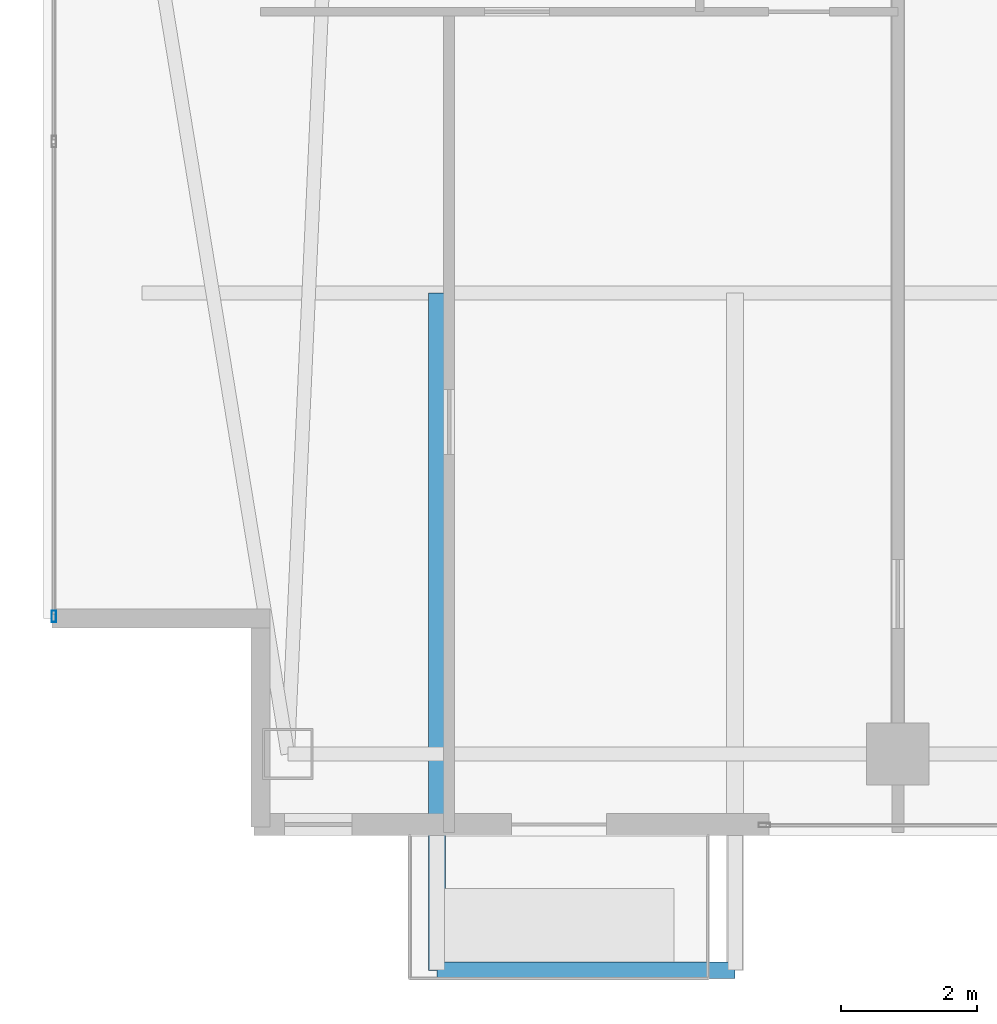
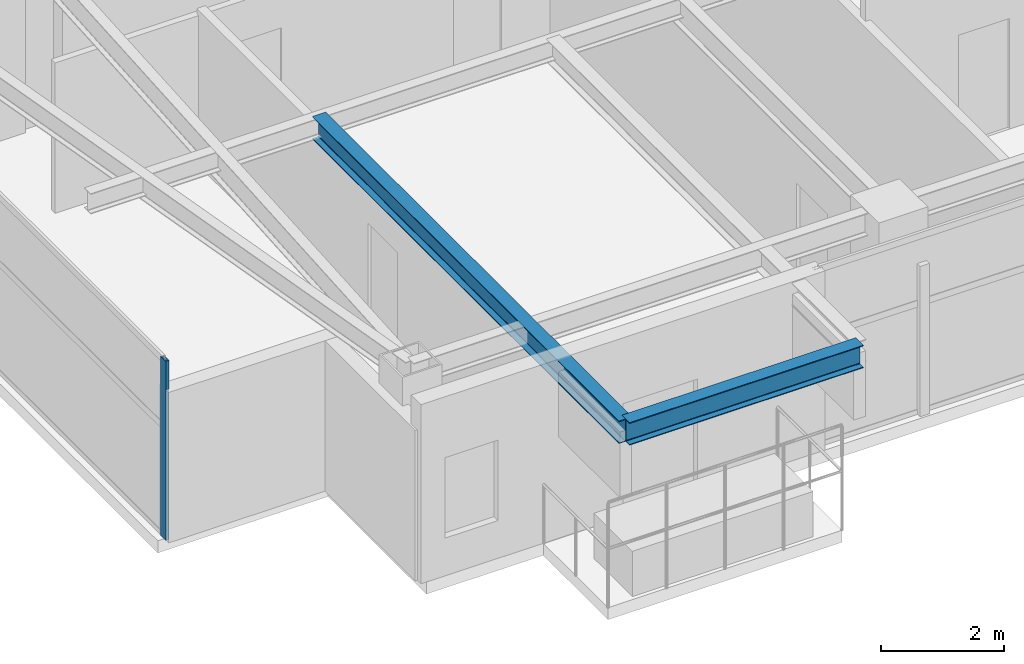
# One storey, part 2 of 27: 2 beams, 1 member, 1 element without a shape of its own.
"""IFC4 building model written with IfcOpenShell, lengths in metres."""

from ifc_helpers import new_model, si_unit, direction, frame, origin, origin_2d, place, context, subcontext, project, spatial, hollow_rectangle, i_section, extrude, material, layer, layer_set, material_profile, profile_set, type_object, element, aggregate, save


model = new_model("IFC4")

# Units and contexts
model_context = context("Model", 3, precision=1e-05, world=origin(), true_north=direction((0.0, 1.0)))
body_context = subcontext(model_context, "Body", "Model", "MODEL_VIEW")
ifc_project = project(units=[si_unit("LENGTHUNIT", "METRE"), si_unit("AREAUNIT", "SQUARE_METRE"), si_unit("VOLUMEUNIT", "CUBIC_METRE"), si_unit("PLANEANGLEUNIT", "RADIAN"), si_unit("MASSUNIT", "GRAM", prefix="KILO")], contexts=[model_context])

# Site, building, storey
site_placement = place(None, origin())
site = spatial("IfcSite", under=ifc_project, at=site_placement, CompositionType="ELEMENT")
building_placement = place(site_placement, origin())
building = spatial("IfcBuilding", under=site, at=building_placement, Name="Calvorn Quay Hotel", CompositionType="ELEMENT")
storey_placement = place(building_placement, frame((0.0, 0.0, 291.10009765625)))
storey = spatial("IfcBuildingStorey", under=building, at=storey_placement, Name="L72", CompositionType="ELEMENT", Elevation=291.10009765625)

# Beams
ifc_material_1 = material(Name="Steel Q355B", Category="steel")
ifc_material_profile_1 = material_profile(ifc_material_1, i_section(OverallWidth=0.25, OverallDepth=0.449951171875, WebThickness=0.011962890625, FlangeThickness=0.01611328125, FilletRadius=0.01611328125, at=origin_2d()), Name="HN450x250x12x16")
ifc_profile_set_1 = profile_set([ifc_material_profile_1], Name="Steel Q355B")
beam_type = type_object("IfcBeamType", Name="BM-CANT-BALC", PredefinedType="BEAM", material=ifc_profile_set_1)
beam_1_placement = place(storey_placement, frame((5.800048828125, 10.39990234375, 3.31494140625), z_axis=(0.0, -1.0, 0.0), x_axis=(1.0, 0.0, 0.0)))
element("IfcBeam", 1, at=beam_1_placement, inside=storey, type_object=beam_type, Name="Cantilever Balcony Beam BCB-L73-2A", PredefinedType="BEAM", context=body_context, shape_type="SweptSolid", body=[
    extrude(i_section(OverallWidth=0.25, OverallDepth=0.449951171875, WebThickness=0.011962890625, FlangeThickness=0.01611328125, FilletRadius=0.01611328125, at=origin_2d()), origin(), (0.0, 0.0, 1.0), 9.989990234375),
])
beam_2_placement = place(storey_placement, frame((5.800048828125, 0.409912109375, 3.31494140625), z_axis=(1.0, 0.0, 0.0), x_axis=(0.0, 1.0, 0.0)))
element("IfcBeam", 2, at=beam_2_placement, inside=storey, type_object=beam_type, Name="Beam BCBO-L73-2", PredefinedType="BEAM", context=body_context, shape_type="SweptSolid", body=[
    extrude(i_section(OverallWidth=0.25, OverallDepth=0.449951171875, WebThickness=0.011962890625, FlangeThickness=0.01611328125, FilletRadius=0.01611328125, at=origin_2d()), origin(), (0.0, 0.0, 1.0), 4.39990234375),
])

# Curtain wall, member
ifc_material_2 = material(Name="Champagne Bronze Anodised Aluminium and Low-E Glass", Category="aluminium")
ifc_layer = layer(ifc_material_2, 0.219970703125)
ifc_layer_set = layer_set([ifc_layer], Name="CW-SYS-Z4")
curtain_wall_type = type_object("IfcCurtainWallType", Name="CW-SYS-Z4", PredefinedType="NOTDEFINED", material=ifc_layer_set)
curtain_wall_placement = place(storey_placement, origin())
curtain_wall = element("IfcCurtainWall", 3, at=curtain_wall_placement, inside=storey, type_object=curtain_wall_type, Name="Tower West Curtain Wall (L72)", PredefinedType="NOTDEFINED")
ifc_material_3 = material(Name="Champagne Bronze Anodised Aluminium 6063-T6", Category="aluminium")
ifc_material_profile_2 = material_profile(ifc_material_3, hollow_rectangle(XDim=0.06494140625, YDim=0.169921875, WallThickness=0.00341796875, at=origin_2d()), Name="ALU-M170x65x3.5")
ifc_profile_set_2 = profile_set([ifc_material_profile_2], Name="Champagne Bronze Anodised Aluminium 6063-T6")
member_type = type_object("IfcMemberType", Name="CW-SYS-Z4-MUL", PredefinedType="MULLION", material=ifc_profile_set_2)
member_placement = place(storey_placement, frame((0.14990234375, 5.6298828125, 0.0), z_axis=(0.0, 0.0, 1.0), x_axis=(-1.0, 0.0, 0.0)))
member = element("IfcMember", 4, at=member_placement, type_object=member_type, Name="CW-L72-W mullion 1", PredefinedType="MULLION", context=body_context, shape_type="SweptSolid", body=[
    extrude(hollow_rectangle(XDim=0.06494140625, YDim=0.169921875, WallThickness=0.00341796875, at=origin_2d()), origin(), (0.0, 0.0, 1.0), 3.559814453125),
])
aggregate(curtain_wall, [member])

save(model, "model.ifc")
